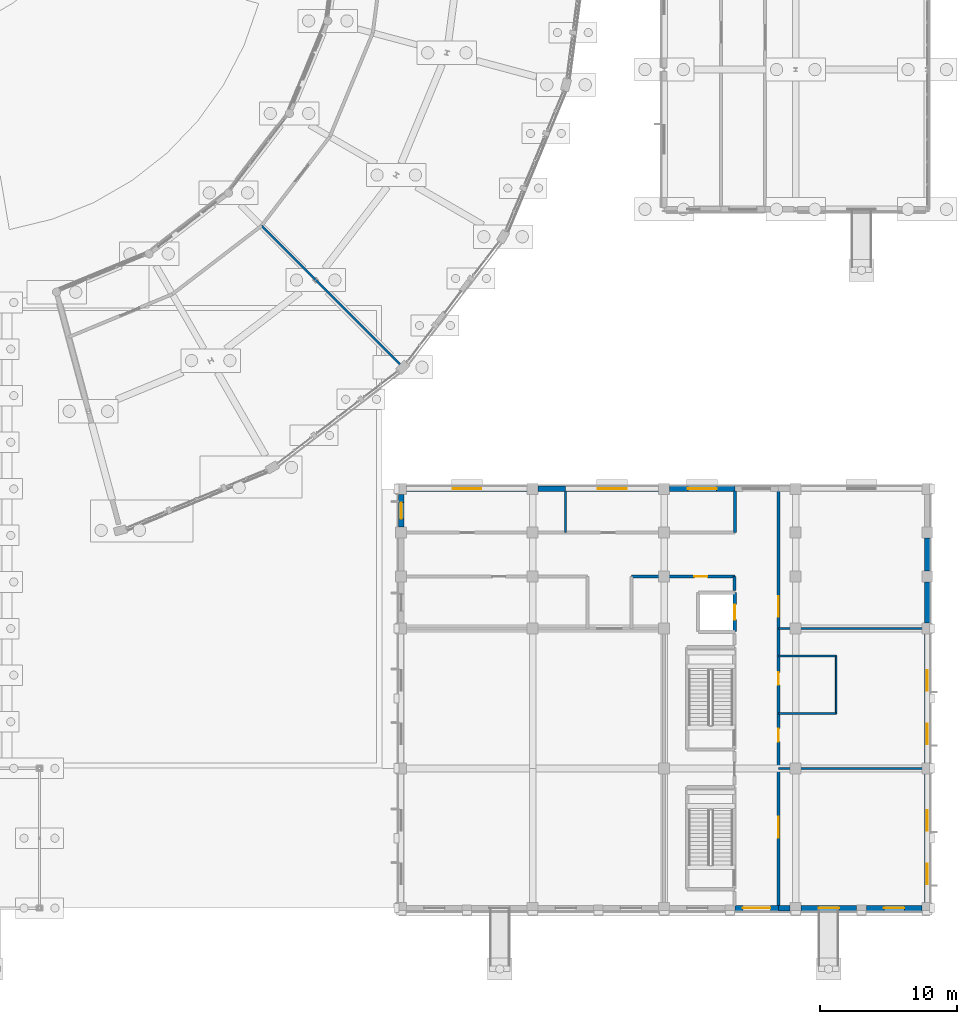
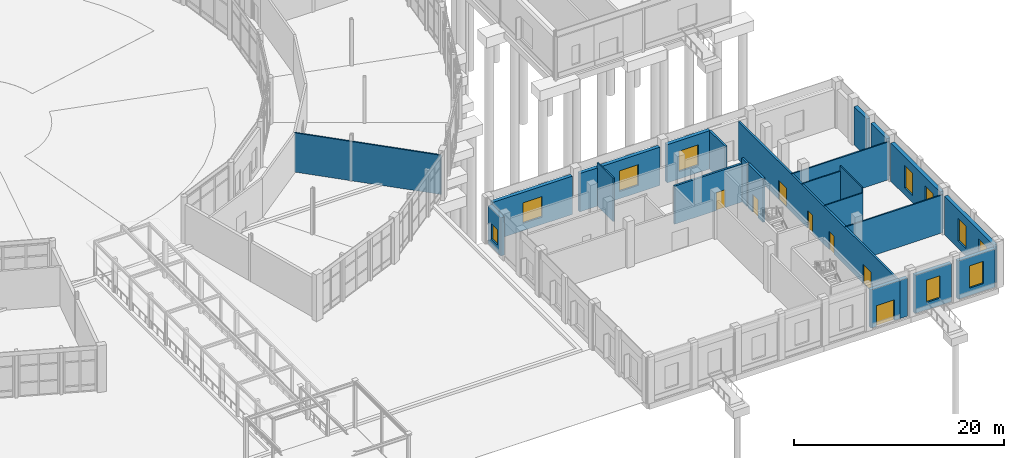
# One storey, part 111 of 137: 25 walls, 10 windows, 7 doors, 17 openings.
"""IFC4 building model written with IfcOpenShell, lengths in metres."""

from ifc_helpers import new_model, si_unit, direction, frame, frame_2d, origin, place, context, subcontext, project, spatial, rectangle, extrude, material, layer, layer_set, type_object, element, fill, save


model = new_model("IFC4")

# Units and contexts
model_context = context("Model", 3, precision=1e-05, world=origin(), true_north=direction((0.0, 1.0)))
body_context = subcontext(model_context, "Body", "Model", "MODEL_VIEW")
ifc_project = project(units=[si_unit("LENGTHUNIT", "METRE"), si_unit("AREAUNIT", "SQUARE_METRE"), si_unit("VOLUMEUNIT", "CUBIC_METRE"), si_unit("PLANEANGLEUNIT", "RADIAN"), si_unit("MASSUNIT", "GRAM", prefix="KILO")], contexts=[model_context])

# Site, building, storey
site_placement = place(None, origin())
site = spatial("IfcSite", under=ifc_project, at=site_placement, CompositionType="ELEMENT")
building_placement = place(site_placement, origin())
building = spatial("IfcBuilding", under=site, at=building_placement, Name="Vondelvale Polytechnic", CompositionType="ELEMENT")
storey_placement = place(building_placement, origin())
storey = spatial("IfcBuildingStorey", under=building, at=storey_placement, Name="L00", CompositionType="ELEMENT", Elevation=0.0)

# Wall, opening, door
ifc_material_1 = material(Name="Fire-rated double-layer plasterboard stud partition")
ifc_layer_1 = layer(ifc_material_1, 0.219970703125)
ifc_layer_set_1 = layer_set([ifc_layer_1], Name="WL-CORR-220")
wall_type_1 = type_object("IfcWallType", Name="WL-CORR-220", PredefinedType="PARTITIONING", material=ifc_layer_set_1)
wall_1_placement = place(storey_placement, frame((151.199951171875, 24.199951171875, 0.0), z_axis=(0.0, 0.0, 1.0), x_axis=(1.0, 0.0, 0.0)))
wall_1 = element("IfcWall", 1, at=wall_1_placement, inside=storey, type_object=wall_type_1, Name="L00 interior acoustic partition", PredefinedType="PARTITIONING", context=body_context, shape_type="SweptSolid", body=[
    extrude(rectangle(XDim=7.550048828125, YDim=0.219970703125, at=frame_2d((3.77490234375, 0.0))), origin(), (0.0, 0.0, 1.0), 4.449951171875),
])
opening_1_placement = place(wall_1_placement, frame((4.60009765625, 0.0, 0.0)))
opening_1 = element("IfcOpeningElement", 2, at=opening_1_placement, cuts=wall_1, Name="Opening ID-0226", PredefinedType="OPENING", context=body_context, shape_type="SweptSolid", body=[
    extrude(rectangle(XDim=0.949951171875, YDim=2.10009765625, at=frame_2d((0.47509765625, 1.050048828125))), frame((0.0, 0.119873046875, 0.0), z_axis=(0.0, -1.0, 0.0), x_axis=(1.0, 0.0, 0.0)), (0.0, 0.0, 1.0), 0.239990234375),
])
ifc_material_2 = material(Name="Fire-rated solid Tasmanian oak joinery")
door_type_1 = type_object("IfcDoorType", Name="DR-INT-0950x2100", OperationType="SINGLE_SWING_LEFT", PredefinedType="DOOR", material=ifc_material_2)
door_1_placement = place(opening_1_placement, origin())
door_1 = element("IfcDoor", 3, at=door_1_placement, inside=storey, type_object=door_type_1, Name="L00 interior room door ID-0226", OperationType="SINGLE_SWING_RIGHT", OverallHeight=2.10009765625, OverallWidth=0.949951171875, PredefinedType="DOOR", context=body_context, shape_type="SweptSolid", body=[
    extrude(rectangle(XDim=0.949951171875, YDim=2.10009765625, at=frame_2d((0.47509765625, 1.050048828125))), frame((0.0, 0.02490234375, 0.0), z_axis=(0.0, -1.0, 0.0), x_axis=(1.0, 0.0, 0.0)), (0.0, 0.0, 1.0), 0.050048828125),
])
fill(opening_1, door_1)

# Walls
wall_2_placement = place(storey_placement, frame((158.72509765625, 23.18994140625, 0.0), z_axis=(0.0, 0.0, 1.0), x_axis=(0.0, 1.0, 0.0)))
element("IfcWall", 4, at=wall_2_placement, inside=storey, type_object=wall_type_1, Name="L00 interior acoustic partition", PredefinedType="PARTITIONING", context=body_context, shape_type="SweptSolid", body=[
    extrude(rectangle(XDim=1.010009765625, YDim=0.219970703125, at=frame_2d((0.5048828125, 0.0))), origin(), (0.0, 0.0, 1.0), 5.050048828125),
])
wall_3_placement = place(storey_placement, frame((158.75, 27.39990234375, 0.0), z_axis=(0.0, 0.0, 1.0), x_axis=(0.0, 1.0, 0.0)))
element("IfcWall", 5, at=wall_3_placement, inside=storey, type_object=wall_type_1, Name="L00 interior acoustic partition", PredefinedType="PARTITIONING", context=body_context, shape_type="SweptSolid", body=[
    extrude(rectangle(XDim=3.050048828125, YDim=0.219970703125, at=frame_2d((1.52490234375, 0.0))), origin(), (0.0, 0.0, 1.0), 4.449951171875),
])

# Wall, openings, doors
wall_4_placement = place(storey_placement, frame((161.949951171875, 0.14990234375, 0.0), z_axis=(0.0, 0.0, 1.0), x_axis=(0.0, 1.0, 0.0)))
wall_4 = element("IfcWall", 6, at=wall_4_placement, inside=storey, type_object=wall_type_1, Name="L00 interior acoustic partition", PredefinedType="PARTITIONING", context=body_context, shape_type="SweptSolid", body=[
    extrude(rectangle(XDim=30.300048828125, YDim=0.219970703125, at=frame_2d((15.14990234375, 0.0))), origin(), (0.0, 0.0, 1.0), 4.39990234375),
])
opening_2_placement = place(wall_4_placement, frame((5.0, 0.0, 0.0)))
opening_2 = element("IfcOpeningElement", 7, at=opening_2_placement, cuts=wall_4, Name="Opening ID-0230", PredefinedType="OPENING", context=body_context, shape_type="SweptSolid", body=[
    extrude(rectangle(XDim=1.5, YDim=2.199951171875, at=frame_2d((0.75, 1.10009765625))), frame((0.0, 0.119873046875, 0.0), z_axis=(0.0, -1.0, 0.0), x_axis=(1.0, 0.0, 0.0)), (0.0, 0.0, 1.0), 0.239990234375),
])
opening_3_placement = place(wall_4_placement, frame((12.0, 0.0, 0.0)))
opening_3 = element("IfcOpeningElement", 8, at=opening_3_placement, cuts=wall_4, Name="Opening ID-0231", PredefinedType="OPENING", context=body_context, shape_type="SweptSolid", body=[
    extrude(rectangle(XDim=0.949951171875, YDim=2.10009765625, at=frame_2d((0.47509765625, 1.050048828125))), frame((0.0, 0.119873046875, 0.0), z_axis=(0.0, -1.0, 0.0), x_axis=(1.0, 0.0, 0.0)), (0.0, 0.0, 1.0), 0.239990234375),
])
opening_4_placement = place(wall_4_placement, frame((16.14990234375, 0.0, 0.0)))
opening_4 = element("IfcOpeningElement", 9, at=opening_4_placement, cuts=wall_4, Name="Opening ID-0232", PredefinedType="OPENING", context=body_context, shape_type="SweptSolid", body=[
    extrude(rectangle(XDim=0.89990234375, YDim=2.050048828125, at=frame_2d((0.449951171875, 1.02490234375))), frame((0.0, 0.119873046875, 0.0), z_axis=(0.0, -1.0, 0.0), x_axis=(1.0, 0.0, 0.0)), (0.0, 0.0, 1.0), 0.239990234375),
])
opening_5_placement = place(wall_4_placement, frame((21.10009765625, 0.0, 0.0)))
opening_5 = element("IfcOpeningElement", 10, at=opening_5_placement, cuts=wall_4, Name="Opening ID-0233", PredefinedType="OPENING", context=body_context, shape_type="SweptSolid", body=[
    extrude(rectangle(XDim=1.5, YDim=2.199951171875, at=frame_2d((0.75, 1.10009765625))), frame((0.0, 0.119873046875, 0.0), z_axis=(0.0, -1.0, 0.0), x_axis=(1.0, 0.0, 0.0)), (0.0, 0.0, 1.0), 0.239990234375),
])
door_2_placement = place(opening_3_placement, origin())
door_2 = element("IfcDoor", 11, at=door_2_placement, inside=storey, type_object=door_type_1, Name="L00 interior room door ID-0231", OperationType="SINGLE_SWING_LEFT", OverallHeight=2.10009765625, OverallWidth=0.949951171875, PredefinedType="DOOR", context=body_context, shape_type="SweptSolid", body=[
    extrude(rectangle(XDim=0.949951171875, YDim=2.10009765625, at=frame_2d((0.47509765625, 1.050048828125))), frame((0.0, 0.02490234375, 0.0), z_axis=(0.0, -1.0, 0.0), x_axis=(1.0, 0.0, 0.0)), (0.0, 0.0, 1.0), 0.050048828125),
])
fill(opening_3, door_2)
door_type_2 = type_object("IfcDoorType", Name="DR-LAB-1500x2200", OperationType="DOUBLE_DOOR_SINGLE_SWING", PredefinedType="DOOR", material=ifc_material_2)
door_3_placement = place(opening_2_placement, origin())
door_3 = element("IfcDoor", 12, at=door_3_placement, inside=storey, type_object=door_type_2, Name="L00 interior room door ID-0230", OperationType="DOUBLE_DOOR_SINGLE_SWING", OverallHeight=2.199951171875, OverallWidth=1.5, PredefinedType="DOOR", context=body_context, shape_type="SweptSolid", body=[
    extrude(rectangle(XDim=1.5, YDim=2.199951171875, at=frame_2d((0.75, 1.10009765625))), frame((0.0, 0.02490234375, 0.0), z_axis=(0.0, -1.0, 0.0), x_axis=(1.0, 0.0, 0.0)), (0.0, 0.0, 1.0), 0.050048828125),
])
fill(opening_2, door_3)
door_4_placement = place(opening_5_placement, origin())
door_4 = element("IfcDoor", 13, at=door_4_placement, inside=storey, type_object=door_type_2, Name="L00 interior room door ID-0233", OperationType="DOUBLE_DOOR_SINGLE_SWING", OverallHeight=2.199951171875, OverallWidth=1.5, PredefinedType="DOOR", context=body_context, shape_type="SweptSolid", body=[
    extrude(rectangle(XDim=1.5, YDim=2.199951171875, at=frame_2d((0.75, 1.10009765625))), frame((0.0, 0.02490234375, 0.0), z_axis=(0.0, -1.0, 0.0), x_axis=(1.0, 0.0, 0.0)), (0.0, 0.0, 1.0), 0.050048828125),
])
fill(opening_5, door_4)
door_type_3 = type_object("IfcDoorType", Name="DR-WC-0900x2050", OperationType="SINGLE_SWING_RIGHT", PredefinedType="DOOR", material=ifc_material_2)
door_5_placement = place(opening_4_placement, origin())
door_5 = element("IfcDoor", 14, at=door_5_placement, inside=storey, type_object=door_type_3, Name="L00 interior room door ID-0232", OperationType="SINGLE_SWING_RIGHT", OverallHeight=2.050048828125, OverallWidth=0.89990234375, PredefinedType="DOOR", context=body_context, shape_type="SweptSolid", body=[
    extrude(rectangle(XDim=0.89990234375, YDim=2.050048828125, at=frame_2d((0.449951171875, 1.02490234375))), frame((0.0, 0.02490234375, 0.0), z_axis=(0.0, -1.0, 0.0), x_axis=(1.0, 0.0, 0.0)), (0.0, 0.0, 1.0), 0.050048828125),
])
fill(opening_4, door_5)

# Walls
ifc_layer_2 = layer(ifc_material_1, 0.1201171875)
ifc_layer_set_2 = layer_set([ifc_layer_2], Name="WL-INT-120")
wall_type_2 = type_object("IfcWallType", Name="WL-INT-120", PredefinedType="PARTITIONING", material=ifc_layer_set_2)
wall_5_placement = place(storey_placement, frame((161.949951171875, 14.199951171875, 0.0), z_axis=(0.0, 0.0, 1.0), x_axis=(1.0, 0.0, 0.0)))
element("IfcWall", 15, at=wall_5_placement, inside=storey, type_object=wall_type_2, Name="L00 interior acoustic partition", PredefinedType="PARTITIONING", context=body_context, shape_type="SweptSolid", body=[
    extrude(rectangle(XDim=4.199951171875, YDim=0.1201171875, at=frame_2d((2.10009765625, 0.0))), origin(), (0.0, 0.0, 1.0), 4.449951171875),
])
wall_6_placement = place(storey_placement, frame((166.14990234375, 14.199951171875, 0.0), z_axis=(0.0, 0.0, 1.0), x_axis=(0.0, 1.0, 0.0)))
element("IfcWall", 16, at=wall_6_placement, inside=storey, type_object=wall_type_2, Name="L00 interior acoustic partition", PredefinedType="PARTITIONING", context=body_context, shape_type="SweptSolid", body=[
    extrude(rectangle(XDim=4.199951171875, YDim=0.1201171875, at=frame_2d((2.10009765625, 0.0))), origin(), (0.0, 0.0, 1.0), 5.050048828125),
])
wall_7_placement = place(storey_placement, frame((161.949951171875, 18.39990234375, 0.0), z_axis=(0.0, 0.0, 1.0), x_axis=(1.0, 0.0, 0.0)))
element("IfcWall", 17, at=wall_7_placement, inside=storey, type_object=wall_type_2, Name="L00 interior acoustic partition", PredefinedType="PARTITIONING", context=body_context, shape_type="SweptSolid", body=[
    extrude(rectangle(XDim=4.199951171875, YDim=0.1201171875, at=frame_2d((2.10009765625, 0.0))), origin(), (0.0, 0.0, 1.0), 4.449951171875),
])
ifc_layer_3 = layer(ifc_material_1, 0.14990234375)
ifc_layer_set_3 = layer_set([ifc_layer_3], Name="WL-INT-150")
wall_type_3 = type_object("IfcWallType", Name="WL-INT-150", PredefinedType="PARTITIONING", material=ifc_layer_set_3)
wall_8_placement = place(storey_placement, frame((146.39990234375, 27.39990234375, 0.0), z_axis=(0.0, 0.0, 1.0), x_axis=(0.0, 1.0, 0.0)))
element("IfcWall", 18, at=wall_8_placement, inside=storey, type_object=wall_type_3, Name="L00 interior acoustic partition", PredefinedType="PARTITIONING", context=body_context, shape_type="SweptSolid", body=[
    extrude(rectangle(XDim=3.050048828125, YDim=0.14990234375, at=frame_2d((1.52490234375, 0.0))), origin(), (0.0, 0.0, 1.0), 5.050048828125),
])
for number, where, z_axis, x_axis, name in (
    (19, (161.949951171875, 10.199951171875, 0.0), (0.0, 0.0, 1.0), (1.0, 0.0, 0.0), "L00 interior acoustic partition"),
    (20, (161.949951171875, 20.39990234375, 0.0), (0.0, 0.0, 1.0), (1.0, 0.0, 0.0), "L00 interior acoustic partition"),
):
    element("IfcWall", number, at=place(storey_placement, frame(where, z_axis=z_axis, x_axis=x_axis)), inside=storey, type_object=wall_type_3, Name=name, PredefinedType="PARTITIONING", context=body_context, shape_type="SweptSolid", body=[
        extrude(rectangle(XDim=10.699951171875, YDim=0.14990234375, at=frame_2d((5.35009765625, 0.0))), origin(), (0.0, 0.0, 1.0), 4.39990234375),
    ])
wall_9_placement = place(storey_placement, frame((124.203125, 49.796875, 0.0), z_axis=(0.0, 0.0, 1.0), x_axis=(0.707106781187, -0.707106781187, 0.0)))
element("IfcWall", 21, at=wall_9_placement, inside=storey, type_object=wall_type_3, Name="L00 interior acoustic partition", PredefinedType="PARTITIONING", context=body_context, shape_type="SweptSolid", body=[
    extrude(rectangle(XDim=14.480224609375, YDim=0.14990234375, at=frame_2d((7.240234375, 0.0))), origin(), (0.0, 0.0, 1.0), 4.56689453125),
])

# Wall, opening, door
ifc_material_3 = material(Name="Malmsbury bluestone ashlar stone masonry", Category="masonry")
ifc_layer_4 = layer(ifc_material_3, 0.39990234375)
ifc_layer_set_4 = layer_set([ifc_layer_4], Name="WL-PLINTH-400")
wall_type_4 = type_object("IfcWallType", Name="WL-PLINTH-400", PredefinedType="SOLIDWALL", material=ifc_layer_set_4)
wall_10_placement = place(storey_placement, frame((161.949951171875, 0.0, 0.0), z_axis=(0.0, 0.0, 1.0), x_axis=(-1.0, 0.0, 0.0)))
wall_10 = element("IfcWall", 22, at=wall_10_placement, inside=storey, type_object=wall_type_4, Name="L00 exterior masonry facade wall", PredefinedType="SOLIDWALL", context=body_context, shape_type="SweptSolid", body=[
    extrude(rectangle(XDim=3.198974609375, YDim=0.39990234375, at=frame_2d((1.599609375, 0.0))), origin(), (0.0, 0.0, 1.0), 4.449951171875),
])
opening_6_placement = place(wall_10_placement, frame((0.599609375, 0.0, 0.0)))
opening_6 = element("IfcOpeningElement", 23, at=opening_6_placement, cuts=wall_10, Name="Opening ED-020", PredefinedType="OPENING", context=body_context, shape_type="SweptSolid", body=[
    extrude(rectangle(XDim=2.0, YDim=2.39990234375, at=frame_2d((1.0, 1.199951171875))), frame((0.0, 0.2099609375, 0.0), z_axis=(0.0, -1.0, 0.0), x_axis=(1.0, 0.0, 0.0)), (0.0, 0.0, 1.0), 0.419921875),
])
ifc_material_4 = material(Name="Anodised extruded aluminium 6063-T6", Category="aluminium")
door_type_4 = type_object("IfcDoorType", Name="DR-EXT-2000x2400", OperationType="DOUBLE_DOOR_SINGLE_SWING", PredefinedType="DOOR", material=ifc_material_4)
door_6_placement = place(opening_6_placement, origin())
door_6 = element("IfcDoor", 24, at=door_6_placement, inside=storey, type_object=door_type_4, Name="L00 exterior entrance/exit door ED-020", OperationType="DOUBLE_DOOR_SINGLE_SWING", OverallHeight=2.39990234375, OverallWidth=2.0, PredefinedType="DOOR", context=body_context, shape_type="SweptSolid", body=[
    extrude(rectangle(XDim=2.0, YDim=2.39990234375, at=frame_2d((1.0, 1.199951171875))), frame((0.0, 0.02490234375, 0.0), z_axis=(0.0, -1.0, 0.0), x_axis=(1.0, 0.0, 0.0)), (0.0, 0.0, 1.0), 0.050048828125),
])
fill(opening_6, door_6)

# Wall
wall_11_placement = place(storey_placement, frame((162.799072265625, 0.0, 0.0), z_axis=(0.0, 0.0, 1.0), x_axis=(-1.0, 0.0, 0.0)))
element("IfcWall", 25, at=wall_11_placement, inside=storey, type_object=wall_type_4, Name="L00 exterior masonry facade wall", PredefinedType="SOLIDWALL", context=body_context, shape_type="SweptSolid", body=[
    extrude(rectangle(XDim=0.84912109375, YDim=0.39990234375, at=frame_2d((0.424560546875, 0.0))), origin(), (0.0, 0.0, 1.0), 4.449951171875),
])

# Wall, opening, window
wall_12_placement = place(storey_placement, frame((167.64892578125, 0.0, 0.0), z_axis=(0.0, 0.0, 1.0), x_axis=(-1.0, 0.0, 0.0)))
wall_12 = element("IfcWall", 26, at=wall_12_placement, inside=storey, type_object=wall_type_4, Name="L00 exterior masonry facade wall", PredefinedType="SOLIDWALL", context=body_context, shape_type="SweptSolid", body=[
    extrude(rectangle(XDim=4.0478515625, YDim=0.39990234375, at=frame_2d((2.02392578125, 0.0))), origin(), (0.0, 0.0, 1.0), 4.449951171875),
])
opening_7_placement = place(wall_12_placement, frame((1.27392578125, 0.0, 0.85009765625)))
opening_7 = element("IfcOpeningElement", 27, at=opening_7_placement, cuts=wall_12, Name="Opening WN-0331", PredefinedType="OPENING", context=body_context, shape_type="SweptSolid", body=[
    extrude(rectangle(XDim=1.5, YDim=2.60009765625, at=frame_2d((0.75, 1.300048828125))), frame((0.0, 0.2099609375, 0.0), z_axis=(0.0, -1.0, 0.0), x_axis=(1.0, 0.0, 0.0)), (0.0, 0.0, 1.0), 0.419921875),
])
ifc_material_5 = material(Name="Double-glazed low-E insulated architectural glass", Category="glass")
window_type_1 = type_object("IfcWindowType", Name="WN-TALL-1500x2600", PartitioningType="SINGLE_PANEL", PredefinedType="WINDOW", material=ifc_material_5)
window_1_placement = place(opening_7_placement, origin())
window_1 = element("IfcWindow", 28, at=window_1_placement, inside=storey, type_object=window_type_1, Name="L00 double-glazed architectural window WN-0331", OverallHeight=2.60009765625, OverallWidth=1.5, PartitioningType="SINGLE_PANEL", PredefinedType="WINDOW", context=body_context, shape_type="SweptSolid", body=[
    extrude(rectangle(XDim=1.5, YDim=2.60009765625, at=frame_2d((0.75, 1.300048828125))), frame((0.0, 0.030029296875, 0.0), z_axis=(0.0, -1.0, 0.0), x_axis=(1.0, 0.0, 0.0)), (0.0, 0.0, 1.0), 0.06005859375),
])
fill(opening_7, window_1)

wall_13_placement = place(storey_placement, frame((172.39892578125, 0.0, 0.0), z_axis=(0.0, 0.0, 1.0), x_axis=(-1.0, 0.0, 0.0)))
wall_13 = element("IfcWall", 29, at=wall_13_placement, inside=storey, type_object=wall_type_4, Name="L00 exterior masonry facade wall", PredefinedType="SOLIDWALL", context=body_context, shape_type="SweptSolid", body=[
    extrude(rectangle(XDim=4.0478515625, YDim=0.39990234375, at=frame_2d((2.02392578125, 0.0))), origin(), (0.0, 0.0, 1.0), 4.449951171875),
])
opening_8_placement = place(wall_13_placement, frame((1.27392578125, 0.0, 0.85009765625)))
opening_8 = element("IfcOpeningElement", 30, at=opening_8_placement, cuts=wall_13, Name="Opening WN-0332", PredefinedType="OPENING", context=body_context, shape_type="SweptSolid", body=[
    extrude(rectangle(XDim=1.5, YDim=2.60009765625, at=frame_2d((0.75, 1.300048828125))), frame((0.0, 0.2099609375, 0.0), z_axis=(0.0, -1.0, 0.0), x_axis=(1.0, 0.0, 0.0)), (0.0, 0.0, 1.0), 0.419921875),
])
window_2_placement = place(opening_8_placement, origin())
window_2 = element("IfcWindow", 31, at=window_2_placement, inside=storey, type_object=window_type_1, Name="L00 double-glazed architectural window WN-0332", OverallHeight=2.60009765625, OverallWidth=1.5, PartitioningType="SINGLE_PANEL", PredefinedType="WINDOW", context=body_context, shape_type="SweptSolid", body=[
    extrude(rectangle(XDim=1.5, YDim=2.60009765625, at=frame_2d((0.75, 1.300048828125))), frame((0.0, 0.030029296875, 0.0), z_axis=(0.0, -1.0, 0.0), x_axis=(1.0, 0.0, 0.0)), (0.0, 0.0, 1.0), 0.06005859375),
])
fill(opening_8, window_2)

wall_14_placement = place(storey_placement, frame((134.39990234375, 27.801025390625, 0.0), z_axis=(0.0, 0.0, 1.0), x_axis=(0.0, 1.0, 0.0)))
wall_14 = element("IfcWall", 32, at=wall_14_placement, inside=storey, type_object=wall_type_4, Name="L00 exterior masonry facade wall", PredefinedType="SOLIDWALL", context=body_context, shape_type="SweptSolid", body=[
    extrude(rectangle(XDim=2.39794921875, YDim=0.39990234375, at=frame_2d((1.198974609375, 0.0))), origin(), (0.0, 0.0, 1.0), 4.449951171875),
])
opening_9_placement = place(wall_14_placement, frame((0.59912109375, 0.0, 0.89990234375)))
opening_9 = element("IfcOpeningElement", 33, at=opening_9_placement, cuts=wall_14, Name="Opening WN-0338", PredefinedType="OPENING", context=body_context, shape_type="SweptSolid", body=[
    extrude(rectangle(XDim=1.199951171875, YDim=1.800048828125, at=frame_2d((0.60009765625, 0.89990234375))), frame((0.0, 0.2099609375, 0.0), z_axis=(0.0, -1.0, 0.0), x_axis=(1.0, 0.0, 0.0)), (0.0, 0.0, 1.0), 0.419921875),
])
window_type_2 = type_object("IfcWindowType", Name="WN-OFF-1200x1800", PartitioningType="SINGLE_PANEL", PredefinedType="WINDOW", material=ifc_material_5)
window_3_placement = place(opening_9_placement, origin())
window_3 = element("IfcWindow", 34, at=window_3_placement, inside=storey, type_object=window_type_2, Name="L00 double-glazed architectural window WN-0338", OverallHeight=1.800048828125, OverallWidth=1.199951171875, PartitioningType="SINGLE_PANEL", PredefinedType="WINDOW", context=body_context, shape_type="SweptSolid", body=[
    extrude(rectangle(XDim=1.199951171875, YDim=1.800048828125, at=frame_2d((0.60009765625, 0.89990234375))), frame((0.0, 0.030029296875, 0.0), z_axis=(0.0, -1.0, 0.0), x_axis=(1.0, 0.0, 0.0)), (0.0, 0.0, 1.0), 0.06005859375),
])
fill(opening_9, window_3)

# Wall, openings, windows
wall_15_placement = place(storey_placement, frame((172.800048828125, 9.799072265625, 0.0), z_axis=(0.0, 0.0, 1.0), x_axis=(0.0, -1.0, 0.0)))
wall_15 = element("IfcWall", 35, at=wall_15_placement, inside=storey, type_object=wall_type_4, Name="L00 exterior masonry facade wall", PredefinedType="SOLIDWALL", context=body_context, shape_type="SweptSolid", body=[
    extrude(rectangle(XDim=9.398193359375, YDim=0.39990234375, at=frame_2d((4.69921875, 0.0))), origin(), (0.0, 0.0, 1.0), 4.449951171875),
])
opening_10_placement = place(wall_15_placement, frame((6.548095703125, 0.0, 0.85009765625)))
opening_10 = element("IfcOpeningElement", 36, at=opening_10_placement, cuts=wall_15, Name="Opening WN-0339", PredefinedType="OPENING", context=body_context, shape_type="SweptSolid", body=[
    extrude(rectangle(XDim=1.5, YDim=2.60009765625, at=frame_2d((0.75, 1.300048828125))), frame((0.0, 0.2099609375, 0.0), z_axis=(0.0, -1.0, 0.0), x_axis=(1.0, 0.0, 0.0)), (0.0, 0.0, 1.0), 0.419921875),
])
opening_11_placement = place(wall_15_placement, frame((2.64794921875, 0.0, 0.85009765625)))
opening_11 = element("IfcOpeningElement", 37, at=opening_11_placement, cuts=wall_15, Name="Opening WN-0340", PredefinedType="OPENING", context=body_context, shape_type="SweptSolid", body=[
    extrude(rectangle(XDim=1.5, YDim=2.60009765625, at=frame_2d((0.75, 1.300048828125))), frame((0.0, 0.2099609375, 0.0), z_axis=(0.0, -1.0, 0.0), x_axis=(1.0, 0.0, 0.0)), (0.0, 0.0, 1.0), 0.419921875),
])
window_4_placement = place(opening_10_placement, origin())
window_4 = element("IfcWindow", 38, at=window_4_placement, inside=storey, type_object=window_type_1, Name="L00 double-glazed architectural window WN-0339", OverallHeight=2.60009765625, OverallWidth=1.5, PartitioningType="SINGLE_PANEL", PredefinedType="WINDOW", context=body_context, shape_type="SweptSolid", body=[
    extrude(rectangle(XDim=1.5, YDim=2.60009765625, at=frame_2d((0.75, 1.300048828125))), frame((0.0, 0.030029296875, 0.0), z_axis=(0.0, -1.0, 0.0), x_axis=(1.0, 0.0, 0.0)), (0.0, 0.0, 1.0), 0.06005859375),
])
fill(opening_10, window_4)
window_5_placement = place(opening_11_placement, origin())
window_5 = element("IfcWindow", 39, at=window_5_placement, inside=storey, type_object=window_type_1, Name="L00 double-glazed architectural window WN-0340", OverallHeight=2.60009765625, OverallWidth=1.5, PartitioningType="SINGLE_PANEL", PredefinedType="WINDOW", context=body_context, shape_type="SweptSolid", body=[
    extrude(rectangle(XDim=1.5, YDim=2.60009765625, at=frame_2d((0.75, 1.300048828125))), frame((0.0, 0.030029296875, 0.0), z_axis=(0.0, -1.0, 0.0), x_axis=(1.0, 0.0, 0.0)), (0.0, 0.0, 1.0), 0.06005859375),
])
fill(opening_11, window_5)

wall_16_placement = place(storey_placement, frame((172.800048828125, 19.9990234375, 0.0), z_axis=(0.0, 0.0, 1.0), x_axis=(0.0, -1.0, 0.0)))
wall_16 = element("IfcWall", 40, at=wall_16_placement, inside=storey, type_object=wall_type_4, Name="L00 exterior masonry facade wall", PredefinedType="SOLIDWALL", context=body_context, shape_type="SweptSolid", body=[
    extrude(rectangle(XDim=9.39794921875, YDim=0.39990234375, at=frame_2d((4.698974609375, 0.0))), origin(), (0.0, 0.0, 1.0), 4.449951171875),
])
opening_12_placement = place(wall_16_placement, frame((6.548095703125, 0.0, 0.85009765625)))
opening_12 = element("IfcOpeningElement", 41, at=opening_12_placement, cuts=wall_16, Name="Opening WN-0341", PredefinedType="OPENING", context=body_context, shape_type="SweptSolid", body=[
    extrude(rectangle(XDim=1.5, YDim=2.60009765625, at=frame_2d((0.75, 1.300048828125))), frame((0.0, 0.2099609375, 0.0), z_axis=(0.0, -1.0, 0.0), x_axis=(1.0, 0.0, 0.0)), (0.0, 0.0, 1.0), 0.419921875),
])
opening_13_placement = place(wall_16_placement, frame((2.64794921875, 0.0, 0.85009765625)))
opening_13 = element("IfcOpeningElement", 42, at=opening_13_placement, cuts=wall_16, Name="Opening WN-0342", PredefinedType="OPENING", context=body_context, shape_type="SweptSolid", body=[
    extrude(rectangle(XDim=1.5, YDim=2.60009765625, at=frame_2d((0.75, 1.300048828125))), frame((0.0, 0.2099609375, 0.0), z_axis=(0.0, -1.0, 0.0), x_axis=(1.0, 0.0, 0.0)), (0.0, 0.0, 1.0), 0.419921875),
])
window_6_placement = place(opening_12_placement, origin())
window_6 = element("IfcWindow", 43, at=window_6_placement, inside=storey, type_object=window_type_1, Name="L00 double-glazed architectural window WN-0341", OverallHeight=2.60009765625, OverallWidth=1.5, PartitioningType="SINGLE_PANEL", PredefinedType="WINDOW", context=body_context, shape_type="SweptSolid", body=[
    extrude(rectangle(XDim=1.5, YDim=2.60009765625, at=frame_2d((0.75, 1.300048828125))), frame((0.0, 0.030029296875, 0.0), z_axis=(0.0, -1.0, 0.0), x_axis=(1.0, 0.0, 0.0)), (0.0, 0.0, 1.0), 0.06005859375),
])
fill(opening_12, window_6)
window_7_placement = place(opening_13_placement, origin())
window_7 = element("IfcWindow", 44, at=window_7_placement, inside=storey, type_object=window_type_1, Name="L00 double-glazed architectural window WN-0342", OverallHeight=2.60009765625, OverallWidth=1.5, PartitioningType="SINGLE_PANEL", PredefinedType="WINDOW", context=body_context, shape_type="SweptSolid", body=[
    extrude(rectangle(XDim=1.5, YDim=2.60009765625, at=frame_2d((0.75, 1.300048828125))), frame((0.0, 0.030029296875, 0.0), z_axis=(0.0, -1.0, 0.0), x_axis=(1.0, 0.0, 0.0)), (0.0, 0.0, 1.0), 0.06005859375),
])
fill(opening_13, window_7)

# Walls
wall_17_placement = place(storey_placement, frame((172.800048828125, 26.9990234375, 0.0), z_axis=(0.0, 0.0, 1.0), x_axis=(0.0, -1.0, 0.0)))
element("IfcWall", 45, at=wall_17_placement, inside=storey, type_object=wall_type_4, Name="L00 exterior masonry facade wall", PredefinedType="SOLIDWALL", context=body_context, shape_type="SweptSolid", body=[
    extrude(rectangle(XDim=2.39794921875, YDim=0.39990234375, at=frame_2d((1.198974609375, 0.0))), origin(), (0.0, 0.0, 1.0), 4.449951171875),
])
wall_18_placement = place(storey_placement, frame((172.800048828125, 23.799072265625, 0.0), z_axis=(0.0, 0.0, 1.0), x_axis=(0.0, -1.0, 0.0)))
element("IfcWall", 46, at=wall_18_placement, inside=storey, type_object=wall_type_4, Name="L00 exterior masonry facade wall", PredefinedType="SOLIDWALL", context=body_context, shape_type="SweptSolid", body=[
    extrude(rectangle(XDim=2.998046875, YDim=0.39990234375, at=frame_2d((1.4990234375, 0.0))), origin(), (0.0, 0.0, 1.0), 4.449951171875),
])

# Wall, opening, window
wall_19_placement = place(storey_placement, frame((134.801025390625, 30.60009765625, 0.0), z_axis=(0.0, 0.0, 1.0), x_axis=(1.0, 0.0, 0.0)))
wall_19 = element("IfcWall", 47, at=wall_19_placement, inside=storey, type_object=wall_type_4, Name="L00 exterior masonry facade wall", PredefinedType="SOLIDWALL", context=body_context, shape_type="SweptSolid", body=[
    extrude(rectangle(XDim=8.798095703125, YDim=0.39990234375, at=frame_2d((4.39892578125, 0.0))), origin(), (0.0, 0.0, 1.0), 4.449951171875),
])
opening_14_placement = place(wall_19_placement, frame((3.34912109375, 0.0, 0.85009765625)))
opening_14 = element("IfcOpeningElement", 48, at=opening_14_placement, cuts=wall_19, Name="Opening WN-0343", PredefinedType="OPENING", context=body_context, shape_type="SweptSolid", body=[
    extrude(rectangle(XDim=2.10009765625, YDim=2.39990234375, at=frame_2d((1.050048828125, 1.199951171875))), frame((0.0, 0.2099609375, 0.0), z_axis=(0.0, -1.0, 0.0), x_axis=(1.0, 0.0, 0.0)), (0.0, 0.0, 1.0), 0.419921875),
])
window_type_3 = type_object("IfcWindowType", Name="WN-STUDIO-2100x2400", PartitioningType="SINGLE_PANEL", PredefinedType="WINDOW", material=ifc_material_5)
window_8_placement = place(opening_14_placement, origin())
window_8 = element("IfcWindow", 49, at=window_8_placement, inside=storey, type_object=window_type_3, Name="L00 double-glazed architectural window WN-0343", OverallHeight=2.39990234375, OverallWidth=2.10009765625, PartitioningType="SINGLE_PANEL", PredefinedType="WINDOW", context=body_context, shape_type="SweptSolid", body=[
    extrude(rectangle(XDim=2.10009765625, YDim=2.39990234375, at=frame_2d((1.050048828125, 1.199951171875))), frame((0.0, 0.030029296875, 0.0), z_axis=(0.0, -1.0, 0.0), x_axis=(1.0, 0.0, 0.0)), (0.0, 0.0, 1.0), 0.06005859375),
])
fill(opening_14, window_8)

# Wall
wall_20_placement = place(storey_placement, frame((144.40087890625, 30.60009765625, 0.0), z_axis=(0.0, 0.0, 1.0), x_axis=(1.0, 0.0, 0.0)))
element("IfcWall", 50, at=wall_20_placement, inside=storey, type_object=wall_type_4, Name="L00 exterior masonry facade wall", PredefinedType="SOLIDWALL", context=body_context, shape_type="SweptSolid", body=[
    extrude(rectangle(XDim=1.9990234375, YDim=0.39990234375, at=frame_2d((0.99951171875, 0.0))), origin(), (0.0, 0.0, 1.0), 4.449951171875),
])

# Wall, opening, window
wall_21_placement = place(storey_placement, frame((146.39990234375, 30.60009765625, 0.0), z_axis=(0.0, 0.0, 1.0), x_axis=(1.0, 0.0, 0.0)))
wall_21 = element("IfcWall", 51, at=wall_21_placement, inside=storey, type_object=wall_type_4, Name="L00 exterior masonry facade wall", PredefinedType="SOLIDWALL", context=body_context, shape_type="SweptSolid", body=[
    extrude(rectangle(XDim=6.799072265625, YDim=0.39990234375, at=frame_2d((3.3994140625, 0.0))), origin(), (0.0, 0.0, 1.0), 4.449951171875),
])
opening_15_placement = place(wall_21_placement, frame((2.349609375, 0.0, 0.85009765625)))
opening_15 = element("IfcOpeningElement", 52, at=opening_15_placement, cuts=wall_21, Name="Opening WN-0344", PredefinedType="OPENING", context=body_context, shape_type="SweptSolid", body=[
    extrude(rectangle(XDim=2.10009765625, YDim=2.39990234375, at=frame_2d((1.050048828125, 1.199951171875))), frame((0.0, 0.2099609375, 0.0), z_axis=(0.0, -1.0, 0.0), x_axis=(1.0, 0.0, 0.0)), (0.0, 0.0, 1.0), 0.419921875),
])
window_9_placement = place(opening_15_placement, origin())
window_9 = element("IfcWindow", 53, at=window_9_placement, inside=storey, type_object=window_type_3, Name="L00 double-glazed architectural window WN-0344", OverallHeight=2.39990234375, OverallWidth=2.10009765625, PartitioningType="SINGLE_PANEL", PredefinedType="WINDOW", context=body_context, shape_type="SweptSolid", body=[
    extrude(rectangle(XDim=2.10009765625, YDim=2.39990234375, at=frame_2d((1.050048828125, 1.199951171875))), frame((0.0, 0.030029296875, 0.0), z_axis=(0.0, -1.0, 0.0), x_axis=(1.0, 0.0, 0.0)), (0.0, 0.0, 1.0), 0.06005859375),
])
fill(opening_15, window_9)

wall_22_placement = place(storey_placement, frame((154.0009765625, 30.60009765625, 0.0), z_axis=(0.0, 0.0, 1.0), x_axis=(1.0, 0.0, 0.0)))
wall_22 = element("IfcWall", 54, at=wall_22_placement, inside=storey, type_object=wall_type_4, Name="L00 exterior masonry facade wall", PredefinedType="SOLIDWALL", context=body_context, shape_type="SweptSolid", body=[
    extrude(rectangle(XDim=4.7490234375, YDim=0.39990234375, at=frame_2d((2.37451171875, 0.0))), origin(), (0.0, 0.0, 1.0), 4.449951171875),
])
opening_16_placement = place(wall_22_placement, frame((1.324462890625, 0.0, 0.85009765625)))
opening_16 = element("IfcOpeningElement", 55, at=opening_16_placement, cuts=wall_22, Name="Opening WN-0345", PredefinedType="OPENING", context=body_context, shape_type="SweptSolid", body=[
    extrude(rectangle(XDim=2.10009765625, YDim=2.39990234375, at=frame_2d((1.050048828125, 1.199951171875))), frame((0.0, 0.2099609375, 0.0), z_axis=(0.0, -1.0, 0.0), x_axis=(1.0, 0.0, 0.0)), (0.0, 0.0, 1.0), 0.419921875),
])
window_10_placement = place(opening_16_placement, origin())
window_10 = element("IfcWindow", 56, at=window_10_placement, inside=storey, type_object=window_type_3, Name="L00 double-glazed architectural window WN-0345", OverallHeight=2.39990234375, OverallWidth=2.10009765625, PartitioningType="SINGLE_PANEL", PredefinedType="WINDOW", context=body_context, shape_type="SweptSolid", body=[
    extrude(rectangle(XDim=2.10009765625, YDim=2.39990234375, at=frame_2d((1.050048828125, 1.199951171875))), frame((0.0, 0.030029296875, 0.0), z_axis=(0.0, -1.0, 0.0), x_axis=(1.0, 0.0, 0.0)), (0.0, 0.0, 1.0), 0.06005859375),
])
fill(opening_16, window_10)

# Wall, opening, door
ifc_material_6 = material(Name="Concrete N40 (f'c = 40 MPa)", Category="concrete")
ifc_layer_5 = layer(ifc_material_6, 0.25)
ifc_layer_set_5 = layer_set([ifc_layer_5], Name="WL-SHAFT-250")
wall_type_5 = type_object("IfcWallType", Name="WL-SHAFT-250", PredefinedType="SOLIDWALL", material=ifc_layer_set_5)
wall_23_placement = place(storey_placement, frame((158.75, 20.175048828125, 0.0), z_axis=(0.0, 0.0, 1.0), x_axis=(0.0, 1.0, 0.0)))
wall_23 = element("IfcWall", 57, at=wall_23_placement, inside=storey, type_object=wall_type_5, Name="L00 PL-03 lift shaft wall E", PredefinedType="SOLIDWALL", context=body_context, shape_type="SweptSolid", body=[
    extrude(rectangle(XDim=2.849853515625, YDim=0.25, at=frame_2d((1.4248046875, 0.0))), origin(), (0.0, 0.0, 1.0), 5.1201171875),
])
opening_17_placement = place(wall_23_placement, frame((0.875, 0.0, 0.0)))
opening_17 = element("IfcOpeningElement", 58, at=opening_17_placement, cuts=wall_23, Name="Opening LD-037", PredefinedType="OPENING", context=body_context, shape_type="SweptSolid", body=[
    extrude(rectangle(XDim=1.10009765625, YDim=2.10009765625, at=frame_2d((0.550048828125, 1.050048828125))), frame((0.0, 0.135009765625, 0.0), z_axis=(0.0, -1.0, 0.0), x_axis=(1.0, 0.0, 0.0)), (0.0, 0.0, 1.0), 0.27001953125),
])
ifc_material_7 = material(Name="Brushed architectural stainless and zinc-coated metal")
door_type_5 = type_object("IfcDoorType", Name="DR-LIFT-1100x2100", OperationType="SLIDING_TO_LEFT", PredefinedType="DOOR", material=ifc_material_7)
door_7_placement = place(opening_17_placement, origin())
door_7 = element("IfcDoor", 59, at=door_7_placement, inside=storey, type_object=door_type_5, Name="L00 PL-03 sliding lift landing door", OperationType="SLIDING_TO_LEFT", OverallHeight=2.10009765625, OverallWidth=1.10009765625, PredefinedType="DOOR", context=body_context, shape_type="SweptSolid", body=[
    extrude(rectangle(XDim=1.10009765625, YDim=2.10009765625, at=frame_2d((0.550048828125, 1.050048828125))), frame((0.0, 0.02490234375, 0.0), z_axis=(0.0, -1.0, 0.0), x_axis=(1.0, 0.0, 0.0)), (0.0, 0.0, 1.0), 0.050048828125),
])
fill(opening_17, door_7)

save(model, "model.ifc")
